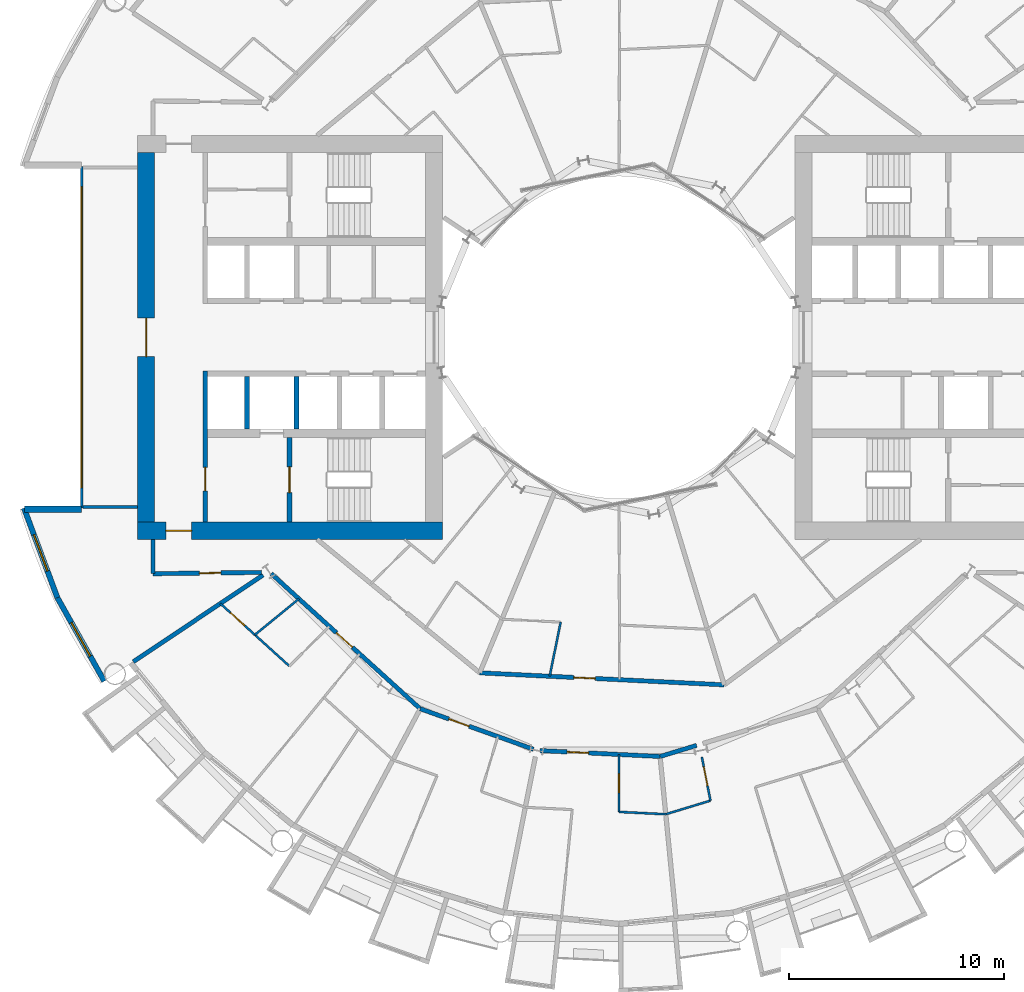
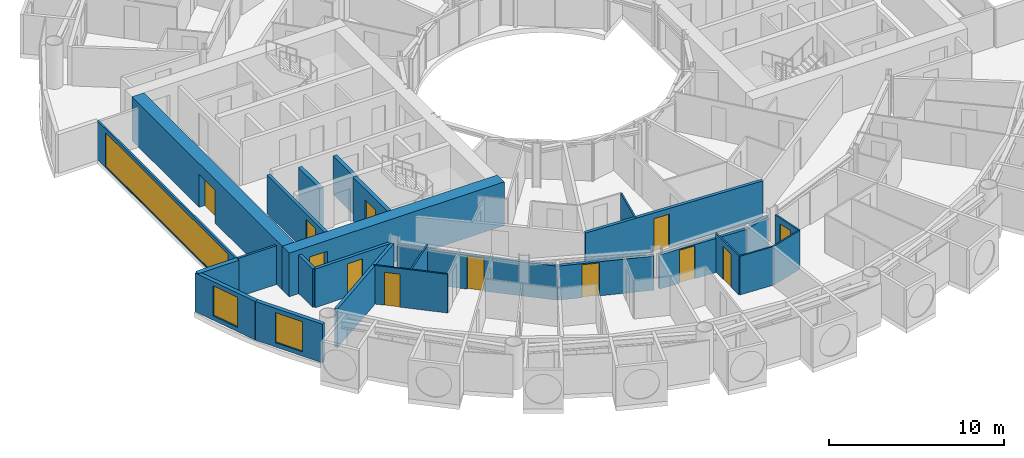
# One storey, part 14 of 26: 26 walls, 12 doors, 3 windows, 15 openings.
"""IFC4 building model written with IfcOpenShell, lengths in metres."""

from ifc_helpers import new_model, si_unit, direction, frame, frame_2d, origin, place, context, subcontext, project, spatial, rectangle, extrude, material, layer, layer_set, type_object, element, fill, save


model = new_model("IFC4")

# Units and contexts
model_context = context("Model", 3, precision=1e-05, world=origin(), true_north=direction((0.0, 1.0)))
body_context = subcontext(model_context, "Body", "Model", "MODEL_VIEW")
ifc_project = project(units=[si_unit("LENGTHUNIT", "METRE"), si_unit("AREAUNIT", "SQUARE_METRE"), si_unit("VOLUMEUNIT", "CUBIC_METRE"), si_unit("PLANEANGLEUNIT", "RADIAN"), si_unit("MASSUNIT", "GRAM", prefix="KILO")], contexts=[model_context])

# Site, building, storey
site_placement = place(None, origin())
site = spatial("IfcSite", under=ifc_project, at=site_placement, CompositionType="ELEMENT")
building_placement = place(site_placement, origin())
building = spatial("IfcBuilding", under=site, at=building_placement, Name="Maasbend Ring Residences", CompositionType="ELEMENT")
storey_placement = place(building_placement, frame((0.0, 0.0, 44.14990234375)))
storey = spatial("IfcBuildingStorey", under=building, at=storey_placement, Name="L12", CompositionType="ELEMENT", Elevation=44.14990234375)

# Wall, opening, door
ifc_material_1 = material(Name="Concrete C70/85", Category="concrete")
ifc_layer_1 = layer(ifc_material_1, 0.25)
ifc_layer_set_1 = layer_set([ifc_layer_1], Name="Concrete C70/85")
wall_type_1 = type_object("IfcWallType", Name="CORE WALL 250 C70/85", PredefinedType="SHEAR", material=ifc_layer_set_1)
wall_1_placement = place(storey_placement, frame((-15.324951171875, -4.64990234375, 0.0), z_axis=(0.0, 0.0, 1.0), x_axis=(0.0, -1.0, 0.0)))
wall_1 = element("IfcWall", 1, at=wall_1_placement, inside=storey, type_object=wall_type_1, Name="L12 core W wall STEN", PredefinedType="SHEAR", context=body_context, shape_type="SweptSolid", body=[
    extrude(rectangle(XDim=3.9501953125, YDim=0.25, at=frame_2d((1.97509765625, 0.0))), origin(), (0.0, 0.0, 1.0), 3.050048828125),
])
opening_1_placement = place(wall_1_placement, frame((1.375, 0.0, 0.0)))
opening_1 = element("IfcOpeningElement", 2, at=opening_1_placement, cuts=wall_1, Name="Opening D-W1210", PredefinedType="OPENING", context=body_context, shape_type="SweptSolid", body=[
    extrude(rectangle(XDim=1.199951171875, YDim=2.300048828125, at=frame_2d((0.60009765625, 1.14990234375))), frame((0.0, 0.135009765625, 0.0), z_axis=(0.0, -1.0, 0.0), x_axis=(1.0, 0.0, 0.0)), (0.0, 0.0, 1.0), 0.27001953125),
])
ifc_material_2 = material(Name="Steel, powder coated", Category="steel")
door_type_1 = type_object("IfcDoorType", Name="STAIR DOOR 1200 X 2300 FD60", OperationType="NOTDEFINED", PredefinedType="DOOR", material=ifc_material_2)
door_1_placement = place(opening_1_placement, origin())
door_1 = element("IfcDoor", 3, at=door_1_placement, inside=storey, type_object=door_type_1, Name="Stair door ST-W L12", OperationType="SINGLE_SWING_LEFT", OverallHeight=2.300048828125, OverallWidth=1.199951171875, PredefinedType="DOOR", context=body_context, shape_type="SweptSolid", body=[
    extrude(rectangle(XDim=1.199951171875, YDim=2.300048828125, at=frame_2d((0.60009765625, 1.14990234375))), frame((0.0, 0.02490234375, 0.0), z_axis=(0.0, -1.0, 0.0), x_axis=(1.0, 0.0, 0.0)), (0.0, 0.0, 1.0), 0.050048828125),
])
fill(opening_1, door_1)

ifc_material_3 = material(Name="Concrete C70/85", Category="concrete")
ifc_layer_2 = layer(ifc_material_3, 0.800048828125)
ifc_layer_set_2 = layer_set([ifc_layer_2], Name="Concrete C70/85")
wall_type_2 = type_object("IfcWallType", Name="CORE WALL 800 C70/85", PredefinedType="SHEAR", material=ifc_layer_set_2)
wall_2_placement = place(storey_placement, frame((-22.39990234375, -9.0, 0.0), z_axis=(0.0, 0.0, 1.0), x_axis=(1.0, 0.0, 0.0)))
wall_2 = element("IfcWall", 4, at=wall_2_placement, inside=storey, type_object=wall_type_2, Name="L12 core W wall PN", PredefinedType="SHEAR", context=body_context, shape_type="SweptSolid", body=[
    extrude(rectangle(XDim=14.199951171875, YDim=0.800048828125, at=frame_2d((7.10009765625, 0.0))), origin(), (0.0, 0.0, 1.0), 3.050048828125),
])
opening_2_placement = place(wall_2_placement, frame((1.324951171875, 0.0, 0.0)))
opening_2 = element("IfcOpeningElement", 5, at=opening_2_placement, cuts=wall_2, Name="Opening D-W1214", PredefinedType="OPENING", context=body_context, shape_type="SweptSolid", body=[
    extrude(rectangle(XDim=1.199951171875, YDim=2.300048828125, at=frame_2d((0.60009765625, 1.14990234375))), frame((0.0, 0.41015625, 0.0), z_axis=(0.0, -1.0, 0.0), x_axis=(1.0, 0.0, 0.0)), (0.0, 0.0, 1.0), 0.820068359375),
])
ifc_material_4 = material(Name="Steel, powder coated", Category="steel")
door_type_2 = type_object("IfcDoorType", Name="CORRIDOR DOOR 1200 X 2300 FD30S", OperationType="NOTDEFINED", PredefinedType="DOOR", material=ifc_material_4)
door_2_placement = place(opening_2_placement, origin())
door_2 = element("IfcDoor", 6, at=door_2_placement, inside=storey, type_object=door_type_2, Name="Corridor door L12", OperationType="SINGLE_SWING_RIGHT", OverallHeight=2.300048828125, OverallWidth=1.199951171875, PredefinedType="DOOR", context=body_context, shape_type="SweptSolid", body=[
    extrude(rectangle(XDim=1.199951171875, YDim=2.300048828125, at=frame_2d((0.60009765625, 1.14990234375))), frame((0.0, 0.02490234375, 0.0), z_axis=(0.0, -1.0, 0.0), x_axis=(1.0, 0.0, 0.0)), (0.0, 0.0, 1.0), 0.050048828125),
])
fill(opening_2, door_2)

wall_3_placement = place(storey_placement, frame((-22.0, -8.60009765625, 0.0), z_axis=(0.0, 0.0, 1.0), x_axis=(0.0, 1.0, 0.0)))
wall_3 = element("IfcWall", 7, at=wall_3_placement, inside=storey, type_object=wall_type_2, Name="L12 core W wall POUT", PredefinedType="SHEAR", context=body_context, shape_type="SweptSolid", body=[
    extrude(rectangle(XDim=17.2001953125, YDim=0.800048828125, at=frame_2d((8.60009765625, 0.0))), origin(), (0.0, 0.0, 1.0), 3.050048828125),
])
opening_3_placement = place(wall_3_placement, frame((7.699951171875, 0.0, 0.0)))
opening_3 = element("IfcOpeningElement", 8, at=opening_3_placement, cuts=wall_3, Name="Opening D-W1216", PredefinedType="OPENING", context=body_context, shape_type="SweptSolid", body=[
    extrude(rectangle(XDim=1.800048828125, YDim=2.300048828125, at=frame_2d((0.89990234375, 1.14990234375))), frame((0.0, 0.41015625, 0.0), z_axis=(0.0, -1.0, 0.0), x_axis=(1.0, 0.0, 0.0)), (0.0, 0.0, 1.0), 0.820068359375),
])
ifc_material_5 = material(Name="Aluminium frame, clear glass", Category="aluminium")
door_type_3 = type_object("IfcDoorType", Name="ENTRANCE DOOR 1800 X 2300 FD60", OperationType="NOTDEFINED", PredefinedType="DOOR", material=ifc_material_5)
door_3_placement = place(opening_3_placement, origin())
door_3 = element("IfcDoor", 9, at=door_3_placement, inside=storey, type_object=door_type_3, Name="Lobby glazed door L12", OperationType="SINGLE_SWING_LEFT", OverallHeight=2.300048828125, OverallWidth=1.800048828125, PredefinedType="DOOR", context=body_context, shape_type="SweptSolid", body=[
    extrude(rectangle(XDim=1.800048828125, YDim=2.300048828125, at=frame_2d((0.89990234375, 1.14990234375))), frame((0.0, 0.02490234375, 0.0), z_axis=(0.0, -1.0, 0.0), x_axis=(1.0, 0.0, 0.0)), (0.0, 0.0, 1.0), 0.050048828125),
])
fill(opening_3, door_3)

ifc_material_6 = material(Name="Concrete C30/37", Category="concrete")
ifc_layer_3 = layer(ifc_material_6, 0.199951171875)
ifc_layer_set_3 = layer_set([ifc_layer_3], Name="Concrete C30/37")
wall_type_3 = type_object("IfcWallType", Name="CORRIDOR WALL 200 CONCRETE", PredefinedType="PARTITIONING", material=ifc_layer_set_3)
wall_4_placement = place(storey_placement, frame((-9.239013671875, -17.285888671875, 0.0), z_axis=(0.0, 0.0, 1.0), x_axis=(0.94157995483, -0.336789531699, 0.0)))
wall_4 = element("IfcWall", 10, at=wall_4_placement, inside=storey, type_object=wall_type_3, Name="U-L12-w013", PredefinedType="PARTITIONING", context=body_context, shape_type="SweptSolid", body=[
    extrude(rectangle(XDim=5.596923828125, YDim=0.199951171875, at=frame_2d((2.79833984375, 0.0))), origin(), (0.0, 0.0, 1.0), 2.380126953125),
])
opening_4_placement = place(wall_4_placement, frame((1.4169921875, 0.0, 0.0)))
opening_4 = element("IfcOpeningElement", 11, at=opening_4_placement, cuts=wall_4, Name="Opening D-1241", PredefinedType="OPENING", context=body_context, shape_type="SweptSolid", body=[
    extrude(rectangle(XDim=1.0, YDim=2.300048828125, at=frame_2d((0.5, 1.14990234375))), frame((0.0, 0.10986328125, 0.0), z_axis=(0.0, -1.0, 0.0), x_axis=(1.0, 0.0, 0.0)), (0.0, 0.0, 1.0), 0.219970703125),
])
ifc_material_7 = material(Name="Timber, fire-rated, painted", Category="wood")
door_type_4 = type_object("IfcDoorType", Name="FLAT ENTRANCE DOOR 1000 X 2300 FIRE-RATED", OperationType="NOTDEFINED", PredefinedType="DOOR", material=ifc_material_7)
door_4_placement = place(opening_4_placement, origin())
door_4 = element("IfcDoor", 12, at=door_4_placement, inside=storey, type_object=door_type_4, Name="D-1241", OperationType="SINGLE_SWING_LEFT", OverallHeight=2.300048828125, OverallWidth=1.0, PredefinedType="DOOR", context=body_context, shape_type="SweptSolid", body=[
    extrude(rectangle(XDim=1.0, YDim=2.300048828125, at=frame_2d((0.5, 1.14990234375))), frame((0.0, 0.02490234375, 0.0), z_axis=(0.0, -1.0, 0.0), x_axis=(1.0, 0.0, 0.0)), (0.0, 0.0, 1.0), 0.050048828125),
])
fill(opening_4, door_4)

wall_5_placement = place(storey_placement, frame((-3.669921875, -19.23095703125, 0.0), z_axis=(0.0, 0.0, 1.0), x_axis=(0.99879118777, -0.049154483346, 0.0)))
wall_5 = element("IfcWall", 13, at=wall_5_placement, inside=storey, type_object=wall_type_3, Name="U-L12-w014", PredefinedType="PARTITIONING", context=body_context, shape_type="SweptSolid", body=[
    extrude(rectangle(XDim=5.59765625, YDim=0.199951171875, at=frame_2d((2.798828125, 0.0))), origin(), (0.0, 0.0, 1.0), 2.380126953125),
])
opening_5_placement = place(wall_5_placement, frame((1.263916015625, 0.0, 0.0)))
opening_5 = element("IfcOpeningElement", 14, at=opening_5_placement, cuts=wall_5, Name="Opening D-1244", PredefinedType="OPENING", context=body_context, shape_type="SweptSolid", body=[
    extrude(rectangle(XDim=1.0, YDim=2.300048828125, at=frame_2d((0.5, 1.14990234375))), frame((0.0, 0.10986328125, 0.0), z_axis=(0.0, -1.0, 0.0), x_axis=(1.0, 0.0, 0.0)), (0.0, 0.0, 1.0), 0.219970703125),
])
door_5_placement = place(opening_5_placement, origin())
door_5 = element("IfcDoor", 15, at=door_5_placement, inside=storey, type_object=door_type_4, Name="D-1244", OperationType="SINGLE_SWING_LEFT", OverallHeight=2.300048828125, OverallWidth=1.0, PredefinedType="DOOR", context=body_context, shape_type="SweptSolid", body=[
    extrude(rectangle(XDim=1.0, YDim=2.300048828125, at=frame_2d((0.5, 1.14990234375))), frame((0.0, 0.02490234375, 0.0), z_axis=(0.0, -1.0, 0.0), x_axis=(1.0, 0.0, 0.0)), (0.0, 0.0, 1.0), 0.050048828125),
])
fill(opening_5, door_5)

# Wall
wall_6_placement = place(storey_placement, frame((1.9208984375, -19.506103515625, 0.0), z_axis=(0.0, 0.0, 1.0), x_axis=(0.956929641646, 0.290319928594, 0.0)))
element("IfcWall", 16, at=wall_6_placement, inside=storey, type_object=wall_type_3, Name="U-L12-w015", PredefinedType="PARTITIONING", context=body_context, shape_type="SweptSolid", body=[
    extrude(rectangle(XDim=1.77783203125, YDim=0.199951171875, at=frame_2d((0.888916015625, 0.0))), origin(), (0.0, 0.0, 1.0), 2.380126953125),
])

# Wall, opening, door
wall_7_placement = place(storey_placement, frame((-16.178955078125, -10.993896484375, 0.0), z_axis=(0.0, 0.0, 1.0), x_axis=(0.740659568799, -0.671880497668, 0.0)))
wall_7 = element("IfcWall", 17, at=wall_7_placement, inside=storey, type_object=wall_type_3, Name="U-L12-w017", PredefinedType="PARTITIONING", context=body_context, shape_type="SweptSolid", body=[
    extrude(rectangle(XDim=9.3603515625, YDim=0.199951171875, at=frame_2d((4.68017578125, 0.0))), origin(), (0.0, 0.0, 1.0), 2.380126953125),
])
opening_6_placement = place(wall_7_placement, frame((4.10498046875, 0.0, 0.0)))
opening_6 = element("IfcOpeningElement", 18, at=opening_6_placement, cuts=wall_7, Name="Opening D-1235", PredefinedType="OPENING", context=body_context, shape_type="SweptSolid", body=[
    extrude(rectangle(XDim=1.0, YDim=2.300048828125, at=frame_2d((0.5, 1.14990234375))), frame((0.0, 0.10986328125, 0.0), z_axis=(0.0, -1.0, 0.0), x_axis=(1.0, 0.0, 0.0)), (0.0, 0.0, 1.0), 0.219970703125),
])
door_6_placement = place(opening_6_placement, origin())
door_6 = element("IfcDoor", 19, at=door_6_placement, inside=storey, type_object=door_type_4, Name="D-1235", OperationType="SINGLE_SWING_LEFT", OverallHeight=2.300048828125, OverallWidth=1.0, PredefinedType="DOOR", context=body_context, shape_type="SweptSolid", body=[
    extrude(rectangle(XDim=1.0, YDim=2.300048828125, at=frame_2d((0.5, 1.14990234375))), frame((0.0, 0.02490234375, 0.0), z_axis=(0.0, -1.0, 0.0), x_axis=(1.0, 0.0, 0.0)), (0.0, 0.0, 1.0), 0.050048828125),
])
fill(opening_6, door_6)

wall_8_placement = place(storey_placement, frame((-6.468994140625, -15.614013671875, 0.0), z_axis=(0.0, 0.0, 1.0), x_axis=(0.998798520108, -0.049005267363, 0.0)))
wall_8 = element("IfcWall", 20, at=wall_8_placement, inside=storey, type_object=wall_type_3, Name="U-L12-w020", PredefinedType="PARTITIONING", context=body_context, shape_type="SweptSolid", body=[
    extrude(rectangle(XDim=11.388671875, YDim=0.199951171875, at=frame_2d((5.6943359375, 0.0))), origin(), (0.0, 0.0, 1.0), 2.7001953125),
])
opening_7_placement = place(wall_8_placement, frame((4.383056640625, 0.0, 0.0)))
opening_7 = element("IfcOpeningElement", 21, at=opening_7_placement, cuts=wall_8, Name="Opening D-1261", PredefinedType="OPENING", context=body_context, shape_type="SweptSolid", body=[
    extrude(rectangle(XDim=1.0, YDim=2.300048828125, at=frame_2d((0.5, 1.14990234375))), frame((0.0, 0.10986328125, 0.0), z_axis=(0.0, -1.0, 0.0), x_axis=(1.0, 0.0, 0.0)), (0.0, 0.0, 1.0), 0.219970703125),
])
door_7_placement = place(opening_7_placement, origin())
door_7 = element("IfcDoor", 22, at=door_7_placement, inside=storey, type_object=door_type_4, Name="D-1261", OperationType="SINGLE_SWING_LEFT", OverallHeight=2.300048828125, OverallWidth=1.0, PredefinedType="DOOR", context=body_context, shape_type="SweptSolid", body=[
    extrude(rectangle(XDim=1.0, YDim=2.300048828125, at=frame_2d((0.5, 1.14990234375))), frame((0.0, 0.02490234375, 0.0), z_axis=(0.0, -1.0, 0.0), x_axis=(1.0, 0.0, 0.0)), (0.0, 0.0, 1.0), 0.050048828125),
])
fill(opening_7, door_7)

wall_9_placement = place(storey_placement, frame((-21.675048828125, -11.0, 0.0), z_axis=(0.0, 0.0, 1.0), x_axis=(0.999926652916, 0.012111514691, 0.0)))
wall_9 = element("IfcWall", 23, at=wall_9_placement, inside=storey, type_object=wall_type_3, Name="U-L12-w028", PredefinedType="PARTITIONING", context=body_context, shape_type="SweptSolid", body=[
    extrude(rectangle(XDim=5.03955078125, YDim=0.199951171875, at=frame_2d((2.519775390625, 0.0))), origin(), (0.0, 0.0, 1.0), 2.7001953125),
])
opening_8_placement = place(wall_9_placement, frame((2.154052734375, 0.0, 0.0)))
opening_8 = element("IfcOpeningElement", 24, at=opening_8_placement, cuts=wall_9, Name="Opening D-1269", PredefinedType="OPENING", context=body_context, shape_type="SweptSolid", body=[
    extrude(rectangle(XDim=1.0, YDim=2.300048828125, at=frame_2d((0.5, 1.14990234375))), frame((0.0, 0.10986328125, 0.0), z_axis=(0.0, -1.0, 0.0), x_axis=(1.0, 0.0, 0.0)), (0.0, 0.0, 1.0), 0.219970703125),
])
ifc_material_8 = material(Name="Timber, painted", Category="wood")
door_type_5 = type_object("IfcDoorType", Name="ROOM DOOR 1000 X 2300", OperationType="NOTDEFINED", PredefinedType="DOOR", material=ifc_material_8)
door_8_placement = place(opening_8_placement, origin())
door_8 = element("IfcDoor", 25, at=door_8_placement, inside=storey, type_object=door_type_5, Name="D-1269", OperationType="SINGLE_SWING_RIGHT", OverallHeight=2.300048828125, OverallWidth=1.0, PredefinedType="DOOR", context=body_context, shape_type="SweptSolid", body=[
    extrude(rectangle(XDim=1.0, YDim=2.300048828125, at=frame_2d((0.5, 1.14990234375))), frame((0.0, 0.02490234375, 0.0), z_axis=(0.0, -1.0, 0.0), x_axis=(1.0, 0.0, 0.0)), (0.0, 0.0, 1.0), 0.050048828125),
])
fill(opening_8, door_8)

# Wall
wall_10_placement = place(storey_placement, frame((-21.675048828125, -11.0, 0.0), z_axis=(0.0, 0.0, 1.0), x_axis=(0.0, 1.0, 0.0)))
element("IfcWall", 26, at=wall_10_placement, inside=storey, type_object=wall_type_3, Name="U-L12-w115", PredefinedType="PARTITIONING", context=body_context, shape_type="SweptSolid", body=[
    extrude(rectangle(XDim=1.60009765625, YDim=0.199951171875, at=frame_2d((0.800048828125, 0.0))), origin(), (0.0, 0.0, 1.0), 2.7001953125),
])

# Wall, opening, window
ifc_material_9 = material(Name="Aluminium clad insulated panel", Category="aluminium")
ifc_layer_4 = layer(ifc_material_9, 0.25)
ifc_layer_set_4 = layer_set([ifc_layer_4], Name="EW-HORN")
wall_type_4 = type_object("IfcWallType", Name="EW-HORN", PredefinedType="SOLIDWALL", material=ifc_layer_set_4)
wall_11_placement = place(storey_placement, frame((-27.681884765625, -7.945068359375, 0.0), z_axis=(0.0, 0.0, 1.0), x_axis=(0.349247811493, -0.937030397675, 0.0)))
wall_11 = element("IfcWall", 27, at=wall_11_placement, inside=storey, type_object=wall_type_4, Name="Horn wall 3.1", PredefinedType="SOLIDWALL", context=body_context, shape_type="SweptSolid", body=[
    extrude(rectangle(XDim=4.4521484375, YDim=0.25, at=frame_2d((2.22607421875, 0.0))), origin(), (0.0, 0.0, 1.0), 2.7001953125),
])
opening_9_placement = place(wall_11_placement, frame((1.32666015625, 0.0, 0.300048828125)))
opening_9 = element("IfcOpeningElement", 28, at=opening_9_placement, cuts=wall_11, Name="Opening W-BX", PredefinedType="OPENING", context=body_context, shape_type="SweptSolid", body=[
    extrude(rectangle(XDim=1.800048828125, YDim=2.10009765625, at=frame_2d((0.89990234375, 1.050048828125))), frame((0.0, 0.135009765625, 0.0), z_axis=(0.0, -1.0, 0.0), x_axis=(1.0, 0.0, 0.0)), (0.0, 0.0, 1.0), 0.27001953125),
])
ifc_material_10 = material(Name="Aluminium and clear glass", Category="aluminium")
window_type_1 = type_object("IfcWindowType", Name="W-BX", PartitioningType="DOUBLE_PANEL_VERTICAL", PredefinedType="WINDOW", material=ifc_material_10)
window_1_placement = place(opening_9_placement, origin())
window_1 = element("IfcWindow", 29, at=window_1_placement, inside=storey, type_object=window_type_1, Name="Horn window 3.1", OverallHeight=2.10009765625, OverallWidth=1.800048828125, PartitioningType="SINGLE_PANEL", PredefinedType="WINDOW", context=body_context, shape_type="SweptSolid", body=[
    extrude(rectangle(XDim=1.800048828125, YDim=2.10009765625, at=frame_2d((0.89990234375, 1.050048828125))), frame((0.0, 0.030029296875, 0.0), z_axis=(0.0, -1.0, 0.0), x_axis=(1.0, 0.0, 0.0)), (0.0, 0.0, 1.0), 0.06005859375),
])
fill(opening_9, window_1)

wall_12_placement = place(storey_placement, frame((-26.126953125, -12.116943359375, 0.0), z_axis=(0.0, 0.0, 1.0), x_axis=(0.489696356642, -0.871893042919, 0.0)))
wall_12 = element("IfcWall", 30, at=wall_12_placement, inside=storey, type_object=wall_type_4, Name="Horn wall 3.2", PredefinedType="SOLIDWALL", context=body_context, shape_type="SweptSolid", body=[
    extrude(rectangle(XDim=4.45361328125, YDim=0.25, at=frame_2d((2.226806640625, 0.0))), origin(), (0.0, 0.0, 1.0), 2.7001953125),
])
opening_10_placement = place(wall_12_placement, frame((1.32666015625, 0.0, 0.300048828125)))
opening_10 = element("IfcOpeningElement", 31, at=opening_10_placement, cuts=wall_12, Name="Opening W-BX", PredefinedType="OPENING", context=body_context, shape_type="SweptSolid", body=[
    extrude(rectangle(XDim=1.800048828125, YDim=2.10009765625, at=frame_2d((0.89990234375, 1.050048828125))), frame((0.0, 0.135009765625, 0.0), z_axis=(0.0, -1.0, 0.0), x_axis=(1.0, 0.0, 0.0)), (0.0, 0.0, 1.0), 0.27001953125),
])
window_2_placement = place(opening_10_placement, origin())
window_2 = element("IfcWindow", 32, at=window_2_placement, inside=storey, type_object=window_type_1, Name="Horn window 3.2", OverallHeight=2.10009765625, OverallWidth=1.800048828125, PartitioningType="SINGLE_PANEL", PredefinedType="WINDOW", context=body_context, shape_type="SweptSolid", body=[
    extrude(rectangle(XDim=1.800048828125, YDim=2.10009765625, at=frame_2d((0.89990234375, 1.050048828125))), frame((0.0, 0.030029296875, 0.0), z_axis=(0.0, -1.0, 0.0), x_axis=(1.0, 0.0, 0.0)), (0.0, 0.0, 1.0), 0.06005859375),
])
fill(opening_10, window_2)

# Wall
ifc_material_11 = material(Name="Aluminium clad insulated panel", Category="aluminium")
ifc_layer_5 = layer(ifc_material_11, 0.300048828125)
ifc_layer_set_5 = layer_set([ifc_layer_5], Name="EW-RET")
wall_type_5 = type_object("IfcWallType", Name="EW-RET", PredefinedType="SOLIDWALL", material=ifc_layer_set_5)
wall_13_placement = place(storey_placement, frame((-25.0, -8.0, 0.0), z_axis=(0.0, 0.0, 1.0), x_axis=(-1.0, 0.0, 0.0)))
element("IfcWall", 33, at=wall_13_placement, inside=storey, type_object=wall_type_5, Name="Notch return wall west south", PredefinedType="SOLIDWALL", context=body_context, shape_type="SweptSolid", body=[
    extrude(rectangle(XDim=2.6669921875, YDim=0.300048828125, at=frame_2d((1.33349609375, 0.0))), origin(), (0.0, 0.0, 1.0), 2.7001953125),
])

# Wall, opening, window
ifc_material_12 = material(Name="Aluminium frame and clear glass", Category="aluminium")
ifc_layer_6 = layer(ifc_material_12, 0.1201171875)
ifc_layer_set_6 = layer_set([ifc_layer_6], Name="GLAZED SCREEN WALL 120 EI 60")
wall_type_6 = type_object("IfcWallType", Name="GLAZED SCREEN WALL 120 EI 60", PredefinedType="PARTITIONING", material=ifc_layer_set_6)
wall_14_placement = place(storey_placement, frame((-25.0, 7.949951171875, 0.0), z_axis=(0.0, 0.0, 1.0), x_axis=(0.0, -1.0, 0.0)))
wall_14 = element("IfcWall", 34, at=wall_14_placement, inside=storey, type_object=wall_type_6, Name="L12 core W wall FACE", PredefinedType="PARTITIONING", context=body_context, shape_type="SweptSolid", body=[
    extrude(rectangle(XDim=15.89990234375, YDim=0.1201171875, at=frame_2d((7.949951171875, 0.0))), origin(), (0.0, 0.0, 1.0), 2.7001953125),
])
opening_11_placement = place(wall_14_placement, frame((0.949951171875, 0.0, 0.10009765625)))
opening_11 = element("IfcOpeningElement", 35, at=opening_11_placement, cuts=wall_14, Name="Opening W-W1202", PredefinedType="OPENING", context=body_context, shape_type="SweptSolid", body=[
    extrude(rectangle(XDim=14.0, YDim=2.35009765625, at=frame_2d((7.0, 1.175048828125))), frame((0.0, 0.070068359375, 0.0), z_axis=(0.0, -1.0, 0.0), x_axis=(1.0, 0.0, 0.0)), (0.0, 0.0, 1.0), 0.14013671875),
])
ifc_material_13 = material(Name="Aluminium frame and clear glass", Category="aluminium")
window_type_2 = type_object("IfcWindowType", Name="FIXED WINDOW 14000 X 2350", PartitioningType="SINGLE_PANEL", PredefinedType="WINDOW", material=ifc_material_13)
window_3_placement = place(opening_11_placement, origin())
window_3 = element("IfcWindow", 36, at=window_3_placement, inside=storey, type_object=window_type_2, Name="Lobby window L12", OverallHeight=2.35009765625, OverallWidth=14.0, PartitioningType="SINGLE_PANEL", PredefinedType="WINDOW", context=body_context, shape_type="SweptSolid", body=[
    extrude(rectangle(XDim=14.0, YDim=2.35009765625, at=frame_2d((7.0, 1.175048828125))), frame((0.0, 0.030029296875, 0.0), z_axis=(0.0, -1.0, 0.0), x_axis=(1.0, 0.0, 0.0)), (0.0, 0.0, 1.0), 0.06005859375),
])
fill(opening_11, window_3)

# Walls
ifc_material_14 = material(Name="Gypsum board on steel studs", Category="steel")
ifc_layer_7 = layer(ifc_material_14, 0.10009765625)
ifc_layer_set_7 = layer_set([ifc_layer_7], Name="PARTITION 100 GYPSUM")
wall_type_7 = type_object("IfcWallType", Name="PARTITION 100 GYPSUM", PredefinedType="PARTITIONING", material=ifc_layer_set_7)
wall_15_placement = place(storey_placement, frame((0.007080078125, -22.0859375, 0.0), z_axis=(0.0, 0.0, 1.0), x_axis=(0.998792477005, -0.049128279821, 0.0)))
element("IfcWall", 37, at=wall_15_placement, inside=storey, type_object=wall_type_7, Name="U-L12-w004", PredefinedType="PARTITIONING", context=body_context, shape_type="SweptSolid", body=[
    extrude(rectangle(XDim=2.181640625, YDim=0.10009765625, at=frame_2d((1.0908203125, 0.0))), origin(), (0.0, 0.0, 1.0), 2.7001953125),
])
wall_16_placement = place(storey_placement, frame((2.179931640625, -22.195068359375, 0.0), z_axis=(0.0, 0.0, 1.0), x_axis=(0.956838221976, 0.290621088303, 0.0)))
element("IfcWall", 38, at=wall_16_placement, inside=storey, type_object=wall_type_7, Name="U-L12-w005", PredefinedType="PARTITIONING", context=body_context, shape_type="SweptSolid", body=[
    extrude(rectangle(XDim=2.175048828125, YDim=0.10009765625, at=frame_2d((1.08740234375, 0.0))), origin(), (0.0, 0.0, 1.0), 2.7001953125),
])

# Wall, opening, door
wall_17_placement = place(storey_placement, frame((-18.544921875, -12.386962890625, 0.0), z_axis=(0.0, 0.0, 1.0), x_axis=(0.740948416939, -0.671561943112, 0.0)))
wall_17 = element("IfcWall", 39, at=wall_17_placement, inside=storey, type_object=wall_type_7, Name="U-L12-w009", PredefinedType="PARTITIONING", context=body_context, shape_type="SweptSolid", body=[
    extrude(rectangle(XDim=4.3349609375, YDim=0.10009765625, at=frame_2d((2.16748046875, 0.0))), origin(), (0.0, 0.0, 1.0), 2.7001953125),
])
opening_12_placement = place(wall_17_placement, frame((0.635986328125, 0.0, 0.0)))
opening_12 = element("IfcOpeningElement", 40, at=opening_12_placement, cuts=wall_17, Name="Opening D-1236", PredefinedType="OPENING", context=body_context, shape_type="SweptSolid", body=[
    extrude(rectangle(XDim=0.89990234375, YDim=2.300048828125, at=frame_2d((0.449951171875, 1.14990234375))), frame((0.0, 0.06005859375, 0.0), z_axis=(0.0, -1.0, 0.0), x_axis=(1.0, 0.0, 0.0)), (0.0, 0.0, 1.0), 0.1201171875),
])
ifc_material_15 = material(Name="Timber, painted", Category="wood")
door_type_6 = type_object("IfcDoorType", Name="INTERNAL DOOR 900 X 2300", OperationType="NOTDEFINED", PredefinedType="DOOR", material=ifc_material_15)
door_9_placement = place(opening_12_placement, origin())
door_9 = element("IfcDoor", 41, at=door_9_placement, inside=storey, type_object=door_type_6, Name="D-1236", OperationType="SINGLE_SWING_LEFT", OverallHeight=2.300048828125, OverallWidth=0.89990234375, PredefinedType="DOOR", context=body_context, shape_type="SweptSolid", body=[
    extrude(rectangle(XDim=0.89990234375, YDim=2.300048828125, at=frame_2d((0.449951171875, 1.14990234375))), frame((0.0, 0.02490234375, 0.0), z_axis=(0.0, -1.0, 0.0), x_axis=(1.0, 0.0, 0.0)), (0.0, 0.0, 1.0), 0.050048828125),
])
fill(opening_12, door_9)

# Walls
wall_18_placement = place(storey_placement, frame((-16.93603515625, -13.844970703125, 0.0), z_axis=(0.0, 0.0, 1.0), x_axis=(0.774162545943, 0.632986850147, 0.0)))
element("IfcWall", 42, at=wall_18_placement, inside=storey, type_object=wall_type_7, Name="U-L12-w038", PredefinedType="PARTITIONING", context=body_context, shape_type="SweptSolid", body=[
    extrude(rectangle(XDim=2.6494140625, YDim=0.10009765625, at=frame_2d((1.32470703125, 0.0))), origin(), (0.0, 0.0, 1.0), 2.7001953125),
])
wall_19_placement = place(storey_placement, frame((-3.218017578125, -15.77294921875, 0.0), z_axis=(0.0, 0.0, 1.0), x_axis=(0.199820523641, 0.979832515449, 0.0)))
element("IfcWall", 43, at=wall_19_placement, inside=storey, type_object=wall_type_7, Name="U-L12-w058", PredefinedType="PARTITIONING", context=body_context, shape_type="SweptSolid", body=[
    extrude(rectangle(XDim=2.57177734375, YDim=0.10009765625, at=frame_2d((1.285888671875, 0.0))), origin(), (0.0, 0.0, 1.0), 2.7001953125),
])

# Wall, opening, door
wall_20_placement = place(storey_placement, frame((0.010009765625, -22.0859375, 0.0), z_axis=(0.0, 0.0, 1.0), x_axis=(-0.000365230071, 0.999999933303, 0.0)))
wall_20 = element("IfcWall", 44, at=wall_20_placement, inside=storey, type_object=wall_type_7, Name="U-L12-w063", PredefinedType="PARTITIONING", context=body_context, shape_type="SweptSolid", body=[
    extrude(rectangle(XDim=2.673828125, YDim=0.10009765625, at=frame_2d((1.3369140625, 0.0))), origin(), (0.0, 0.0, 1.0), 2.7001953125),
])
opening_13_placement = place(wall_20_placement, frame((0.886962890625, 0.0, 0.0)))
opening_13 = element("IfcOpeningElement", 45, at=opening_13_placement, cuts=wall_20, Name="Opening D-1245", PredefinedType="OPENING", context=body_context, shape_type="SweptSolid", body=[
    extrude(rectangle(XDim=0.89990234375, YDim=2.300048828125, at=frame_2d((0.449951171875, 1.14990234375))), frame((0.0, 0.06005859375, 0.0), z_axis=(0.0, -1.0, 0.0), x_axis=(1.0, 0.0, 0.0)), (0.0, 0.0, 1.0), 0.1201171875),
])
door_10_placement = place(opening_13_placement, origin())
door_10 = element("IfcDoor", 46, at=door_10_placement, inside=storey, type_object=door_type_6, Name="D-1245", OperationType="SINGLE_SWING_RIGHT", OverallHeight=2.300048828125, OverallWidth=0.89990234375, PredefinedType="DOOR", context=body_context, shape_type="SweptSolid", body=[
    extrude(rectangle(XDim=0.89990234375, YDim=2.300048828125, at=frame_2d((0.449951171875, 1.14990234375))), frame((0.0, 0.02490234375, 0.0), z_axis=(0.0, -1.0, 0.0), x_axis=(1.0, 0.0, 0.0)), (0.0, 0.0, 1.0), 0.050048828125),
])
fill(opening_13, door_10)

wall_21_placement = place(storey_placement, frame((3.865966796875, -19.531005859375, 0.0), z_axis=(0.0, 0.0, 1.0), x_axis=(0.193846698927, -0.981031832977, 0.0)))
wall_21 = element("IfcWall", 47, at=wall_21_placement, inside=storey, type_object=wall_type_7, Name="U-L12-w070", PredefinedType="PARTITIONING", context=body_context, shape_type="SweptSolid", body=[
    extrude(rectangle(XDim=2.0693359375, YDim=0.10009765625, at=frame_2d((1.03466796875, 0.0))), origin(), (0.0, 0.0, 1.0), 2.7001953125),
])
opening_14_placement = place(wall_21_placement, frame((0.458984375, 0.0, 0.0)))
opening_14 = element("IfcOpeningElement", 48, at=opening_14_placement, cuts=wall_21, Name="Opening D-1248", PredefinedType="OPENING", context=body_context, shape_type="SweptSolid", body=[
    extrude(rectangle(XDim=0.89990234375, YDim=2.300048828125, at=frame_2d((0.449951171875, 1.14990234375))), frame((0.0, 0.06005859375, 0.0), z_axis=(0.0, -1.0, 0.0), x_axis=(1.0, 0.0, 0.0)), (0.0, 0.0, 1.0), 0.1201171875),
])
door_11_placement = place(opening_14_placement, origin())
door_11 = element("IfcDoor", 49, at=door_11_placement, inside=storey, type_object=door_type_6, Name="D-1248", OperationType="SINGLE_SWING_LEFT", OverallHeight=2.300048828125, OverallWidth=0.89990234375, PredefinedType="DOOR", context=body_context, shape_type="SweptSolid", body=[
    extrude(rectangle(XDim=0.89990234375, YDim=2.300048828125, at=frame_2d((0.449951171875, 1.14990234375))), frame((0.0, 0.02490234375, 0.0), z_axis=(0.0, -1.0, 0.0), x_axis=(1.0, 0.0, 0.0)), (0.0, 0.0, 1.0), 0.050048828125),
])
fill(opening_14, door_11)

# Walls
ifc_material_16 = material(Name="Gypsum board on steel studs", Category="steel")
ifc_layer_8 = layer(ifc_material_16, 0.14990234375)
ifc_layer_set_8 = layer_set([ifc_layer_8], Name="PARTITION 150 EI 60")
wall_type_8 = type_object("IfcWallType", Name="PARTITION 150 EI 60", PredefinedType="PARTITIONING", material=ifc_layer_set_8)
wall_22_placement = place(storey_placement, frame((-22.39990234375, -7.89990234375, 0.0), z_axis=(0.0, 0.0, 1.0), x_axis=(-1.0, 0.0, 0.0)))
element("IfcWall", 50, at=wall_22_placement, inside=storey, type_object=wall_type_8, Name="L12 core W wall CITN", PredefinedType="PARTITIONING", context=body_context, shape_type="SweptSolid", body=[
    extrude(rectangle(XDim=2.5400390625, YDim=0.14990234375, at=frame_2d((1.27001953125, 0.0))), origin(), (0.0, 0.0, 1.0), 2.7001953125),
])
ifc_material_17 = material(Name="Concrete C30/37", Category="concrete")
ifc_layer_9 = layer(ifc_material_17, 0.199951171875)
ifc_layer_set_9 = layer_set([ifc_layer_9], Name="Concrete C30/37")
wall_type_9 = type_object("IfcWallType", Name="PARTY WALL 200 CONCRETE", PredefinedType="PARTITIONING", material=ifc_layer_set_9)
wall_23_placement = place(storey_placement, frame((-22.594970703125, -15.096923828125, 0.0), z_axis=(0.0, 0.0, 1.0), x_axis=(0.831465568067, 0.555576285599, 0.0)))
element("IfcWall", 51, at=wall_23_placement, inside=storey, type_object=wall_type_9, Name="U-L12-w032", PredefinedType="PARTITIONING", context=body_context, shape_type="SweptSolid", body=[
    extrude(rectangle(XDim=7.264404296875, YDim=0.199951171875, at=frame_2d((3.63232421875, 0.0))), origin(), (0.0, 0.0, 1.0), 2.7001953125),
])

# Wall, opening, door
ifc_material_18 = material(Name="Concrete C30/37", Category="concrete")
ifc_layer_10 = layer(ifc_material_18, 0.199951171875)
ifc_layer_set_10 = layer_set([ifc_layer_10], Name="Concrete C30/37")
wall_type_10 = type_object("IfcWallType", Name="SHAFT WALL 200 EI 120", PredefinedType="SOLIDWALL", material=ifc_layer_set_10)
wall_24_placement = place(storey_placement, frame((-19.25, -1.574951171875, 0.0), z_axis=(0.0, 0.0, 1.0), x_axis=(0.0, -1.0, 0.0)))
wall_24 = element("IfcWall", 52, at=wall_24_placement, inside=storey, type_object=wall_type_10, Name="L12 core W wall ENDN", PredefinedType="SOLIDWALL", context=body_context, shape_type="SweptSolid", body=[
    extrude(rectangle(XDim=7.025146484375, YDim=0.199951171875, at=frame_2d((3.5126953125, 0.0))), origin(), (0.0, 0.0, 1.0), 2.7001953125),
])
opening_15_placement = place(wall_24_placement, frame((4.47509765625, 0.0, 0.0)))
opening_15 = element("IfcOpeningElement", 53, at=opening_15_placement, cuts=wall_24, Name="Opening D-W1212", PredefinedType="OPENING", context=body_context, shape_type="SweptSolid", body=[
    extrude(rectangle(XDim=1.10009765625, YDim=2.300048828125, at=frame_2d((0.550048828125, 1.14990234375))), frame((0.0, 0.10986328125, 0.0), z_axis=(0.0, -1.0, 0.0), x_axis=(1.0, 0.0, 0.0)), (0.0, 0.0, 1.0), 0.219970703125),
])
ifc_material_19 = material(Name="Steel, powder coated", Category="steel")
door_type_7 = type_object("IfcDoorType", Name="LOBBY DOOR 1100 X 2300 FD60", OperationType="NOTDEFINED", PredefinedType="DOOR", material=ifc_material_19)
door_12_placement = place(opening_15_placement, origin())
door_12 = element("IfcDoor", 54, at=door_12_placement, inside=storey, type_object=door_type_7, Name="Lobby door L12", OperationType="SINGLE_SWING_LEFT", OverallHeight=2.300048828125, OverallWidth=1.10009765625, PredefinedType="DOOR", context=body_context, shape_type="SweptSolid", body=[
    extrude(rectangle(XDim=1.10009765625, YDim=2.300048828125, at=frame_2d((0.550048828125, 1.14990234375))), frame((0.0, 0.02490234375, 0.0), z_axis=(0.0, -1.0, 0.0), x_axis=(1.0, 0.0, 0.0)), (0.0, 0.0, 1.0), 0.050048828125),
])
fill(opening_15, door_12)

# Walls
ifc_material_20 = material(Name="Concrete C30/37", Category="concrete")
ifc_layer_11 = layer(ifc_material_20, 0.25)
ifc_layer_set_11 = layer_set([ifc_layer_11], Name="Concrete C30/37")
wall_type_11 = type_object("IfcWallType", Name="SHAFT WALL 250 EI 120", PredefinedType="SOLIDWALL", material=ifc_layer_set_11)
for number, where, z_axis, x_axis, name in (
    (55, (-15.0, -1.824951171875, 0.0), (0.0, 0.0, 1.0), (0.0, -1.0, 0.0), "L12 core W wall D150N"),
    (56, (-17.300048828125, -1.824951171875, 0.0), (0.0, 0.0, 1.0), (0.0, -1.0, 0.0), "L12 core W wall D173N"),
):
    element("IfcWall", number, at=place(storey_placement, frame(where, z_axis=z_axis, x_axis=x_axis)), inside=storey, type_object=wall_type_11, Name=name, PredefinedType="SOLIDWALL", context=body_context, shape_type="SweptSolid", body=[
        extrude(rectangle(XDim=2.449951171875, YDim=0.25, at=frame_2d((1.22509765625, 0.0))), origin(), (0.0, 0.0, 1.0), 2.7001953125),
    ])

save(model, "model.ifc")
